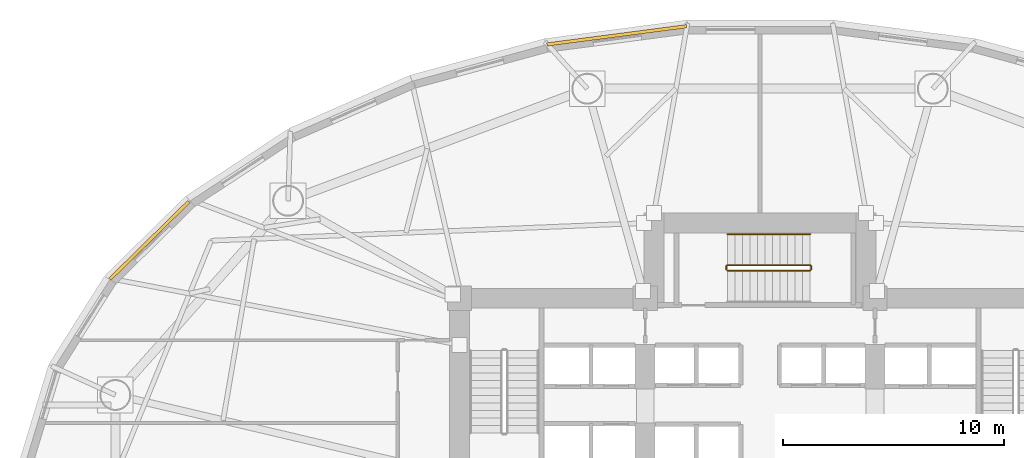
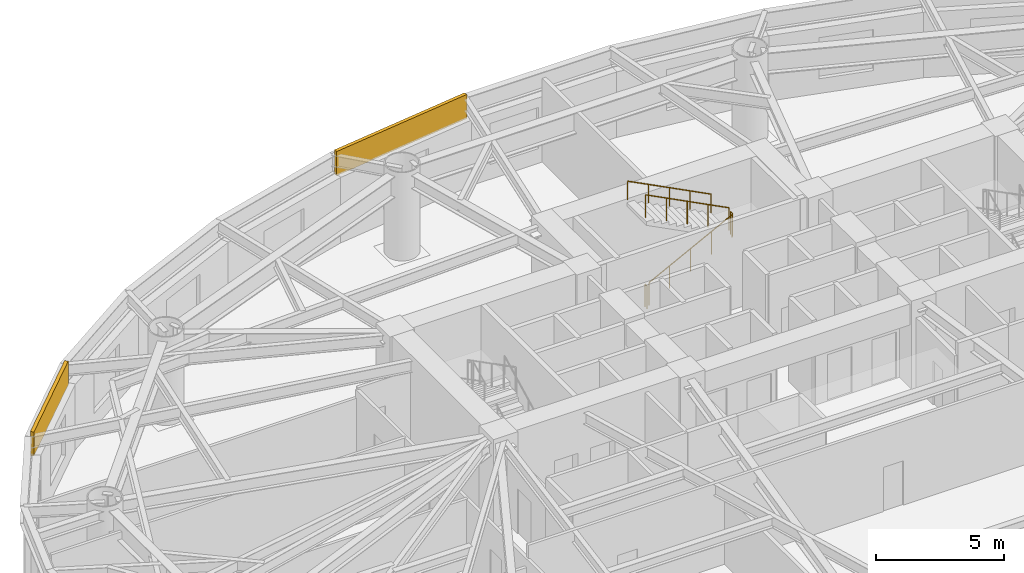
# One storey, part 17 of 18: 5 railings, 2 coverings.
"""IFC4 building model written with IfcOpenShell, lengths in metres."""

from ifc_helpers import new_model, si_unit, direction, frame, origin, origin_2d, place, context, subcontext, project, spatial, rectangle, circle, extrude, material, layer, layer_set, type_object, element, save


model = new_model("IFC4")

# Units and contexts
model_context = context("Model", 3, precision=1e-05, world=origin(), true_north=direction((0.0, 1.0)))
body_context = subcontext(model_context, "Body", "Model", "MODEL_VIEW")
ifc_project = project(units=[si_unit("LENGTHUNIT", "METRE"), si_unit("AREAUNIT", "SQUARE_METRE"), si_unit("VOLUMEUNIT", "CUBIC_METRE"), si_unit("PLANEANGLEUNIT", "RADIAN"), si_unit("MASSUNIT", "GRAM", prefix="KILO")], contexts=[model_context])

# Site, building, storey
site_placement = place(None, origin())
site = spatial("IfcSite", under=ifc_project, at=site_placement, CompositionType="ELEMENT")
building_placement = place(site_placement, origin())
building = spatial("IfcBuilding", under=site, at=building_placement, Name="Keldmark Tower", CompositionType="ELEMENT")
storey_placement = place(building_placement, frame((0.0, 0.0, 6.0)))
storey = spatial("IfcBuildingStorey", under=building, at=storey_placement, Name="L01", CompositionType="ELEMENT", Elevation=6.0)

# Coverings
ifc_material_1 = material(Name="Honed Kasota Buff Dolomitic Limestone", Category="masonry")
ifc_layer = layer(ifc_material_1, 0.074951171875)
ifc_layer_set = layer_set([ifc_layer], Name="Honed Kasota Buff Dolomitic Limestone")
covering_type = type_object("IfcCoveringType", Name="Kasota Buff Limestone Spandrel Cladding Band", PredefinedType="CLADDING", material=ifc_layer_set)
covering_1_placement = place(storey_placement, frame((-6.487060546875, 21.344482421875, 3.032958984375), z_axis=(0.0, 0.0, 1.0), x_axis=(-0.991574223108, -0.129539801092, 0.0)))
element("IfcCovering", 1, at=covering_1_placement, inside=storey, type_object=covering_type, Name="L01 Kasota Limestone Spandrel Band 09", PredefinedType="CLADDING", context=body_context, shape_type="SweptSolid", body=[
    extrude(rectangle(XDim=6.37548828125, YDim=0.14990234375, at=origin_2d()), origin(), (0.0, 0.0, 1.0), 1.14697265625),
])
covering_2_placement = place(storey_placement, frame((-27.62890625, 12.071044921875, 3.032958984375), z_axis=(0.0, 0.0, 1.0), x_axis=(-0.713189280566, -0.700971504475, 0.0)))
element("IfcCovering", 2, at=covering_2_placement, inside=storey, type_object=covering_type, Name="L01 Kasota Limestone Spandrel Band 13", PredefinedType="CLADDING", context=body_context, shape_type="SweptSolid", body=[
    extrude(rectangle(XDim=4.995849609375, YDim=0.14990234375, at=origin_2d()), origin(), (0.0, 0.0, 1.0), 1.14697265625),
])

# Railings
ifc_material_2 = material(Name="Painted Steel ASTM A500 Grade B", Category="steel")
railing_type_1 = type_object("IfcRailingType", Name="Painted Steel Stair Well Guard 1100 mm", PredefinedType="GUARDRAIL", material=ifc_material_2)
railing_1_placement = place(storey_placement, frame((-1.47509765625, 10.699951171875, 0.175048828125)))
element("IfcRailing", 3, at=railing_1_placement, inside=storey, type_object=railing_type_1, Name="L01 ST3 stair guard 1", PredefinedType="GUARDRAIL", context=body_context, shape_type="SweptSolid", body=[
    extrude(circle(Radius=0.02392578125, at=origin_2d()), frame((0.0, 0.0, 1.076171875), z_axis=(0.889130600629, 0.0, 0.457653553493), x_axis=(0.0, 1.0, 0.0)), (0.0, 0.0, 1.0), 4.206298828125),
    extrude(circle(Radius=0.02099609375, at=origin_2d()), origin(), (0.0, 0.0, 1.0), 1.052001953125),
    extrude(circle(Radius=0.02099609375, at=origin_2d()), frame((0.93505859375, 0.0, 0.481201171875)), (0.0, 0.0, 1.0), 1.052001953125),
    extrude(circle(Radius=0.02099609375, at=origin_2d()), frame((1.8701171875, 0.0, 0.96240234375)), (0.0, 0.0, 1.0), 1.052001953125),
    extrude(circle(Radius=0.02099609375, at=origin_2d()), frame((2.804931640625, 0.0, 1.44384765625)), (0.0, 0.0, 1.0), 1.052001953125),
    extrude(circle(Radius=0.02099609375, at=origin_2d()), frame((3.739990234375, 0.0, 1.925048828125)), (0.0, 0.0, 1.0), 1.052001953125),
])
railing_2_placement = place(storey_placement, frame((2.31494140625, 10.75, 2.10009765625)))
element("IfcRailing", 4, at=railing_2_placement, inside=storey, type_object=railing_type_1, Name="L01 ST3 stair guard 2", PredefinedType="GUARDRAIL", context=body_context, shape_type="SweptSolid", body=[
    extrude(circle(Radius=0.02392578125, at=origin_2d()), frame((0.0, 0.0, 1.076171875), z_axis=(0.0, 1.0, 0.0), x_axis=(-1.0, 0.0, 0.0)), (0.0, 0.0, 1.0), 0.14990234375),
    extrude(circle(Radius=0.02099609375, at=origin_2d()), origin(), (0.0, 0.0, 1.0), 1.052001953125),
    extrude(circle(Radius=0.02099609375, at=origin_2d()), frame((0.0, 0.14990234375, 0.0)), (0.0, 0.0, 1.0), 1.052001953125),
])
railing_3_placement = place(storey_placement, frame((2.264892578125, 10.949951171875, 2.27490234375)))
element("IfcRailing", 5, at=railing_3_placement, inside=storey, type_object=railing_type_1, Name="L01 ST3 stair guard 3", PredefinedType="GUARDRAIL", context=body_context, shape_type="SweptSolid", body=[
    extrude(circle(Radius=0.02392578125, at=origin_2d()), frame((0.0, 0.0, 1.076171875), z_axis=(-0.889130600629, 0.0, 0.457653553493), x_axis=(0.0, -1.0, 0.0)), (0.0, 0.0, 1.0), 4.206298828125),
    extrude(circle(Radius=0.02099609375, at=origin_2d()), origin(), (0.0, 0.0, 1.0), 1.052001953125),
    extrude(circle(Radius=0.02099609375, at=origin_2d()), frame((-0.93505859375, 0.0, 0.481201171875)), (0.0, 0.0, 1.0), 1.052001953125),
    extrude(circle(Radius=0.02099609375, at=origin_2d()), frame((-1.8701171875, 0.0, 0.96240234375)), (0.0, 0.0, 1.0), 1.052001953125),
    extrude(circle(Radius=0.02099609375, at=origin_2d()), frame((-2.804931640625, 0.0, 1.44384765625)), (0.0, 0.0, 1.0), 1.052001953125),
    extrude(circle(Radius=0.02099609375, at=origin_2d()), frame((-3.739990234375, 0.0, 1.925048828125)), (0.0, 0.0, 1.0), 1.052001953125),
])
railing_4_placement = place(storey_placement, frame((-1.52490234375, 10.75, 0.0)))
element("IfcRailing", 6, at=railing_4_placement, inside=storey, type_object=railing_type_1, Name="L01 ST3 stair guard 4", PredefinedType="GUARDRAIL", context=body_context, shape_type="SweptSolid", body=[
    extrude(circle(Radius=0.02392578125, at=origin_2d()), frame((0.0, 0.0, 1.076171875), z_axis=(0.0, 1.0, 0.0), x_axis=(-1.0, 0.0, 0.0)), (0.0, 0.0, 1.0), 0.14990234375),
    extrude(circle(Radius=0.02099609375, at=origin_2d()), origin(), (0.0, 0.0, 1.0), 1.052001953125),
    extrude(circle(Radius=0.02099609375, at=origin_2d()), frame((0.0, 0.14990234375, 0.0)), (0.0, 0.0, 1.0), 1.052001953125),
])
ifc_material_3 = material(Name="Stainless Steel AISI 316L", Category="steel")
railing_type_2 = type_object("IfcRailingType", Name="Stainless Steel Stair Handrail 900 mm", PredefinedType="HANDRAIL", material=ifc_material_3)
railing_5_placement = place(storey_placement, frame((2.264892578125, 12.35009765625, 2.27490234375)))
element("IfcRailing", 7, at=railing_5_placement, inside=storey, type_object=railing_type_2, Name="L01 ST3 stair handrail 2", PredefinedType="HANDRAIL", context=body_context, shape_type="SweptSolid", body=[
    extrude(circle(Radius=0.02392578125, at=origin_2d()), frame((0.0, 0.0, 0.8759765625), z_axis=(-0.889130600629, 0.0, 0.457653553493), x_axis=(0.0, -1.0, 0.0)), (0.0, 0.0, 1.0), 4.206298828125),
    extrude(circle(Radius=0.02099609375, at=origin_2d()), origin(), (0.0, 0.0, 1.0), 0.851806640625),
    extrude(circle(Radius=0.02099609375, at=origin_2d()), frame((-0.93505859375, 0.0, 0.481201171875)), (0.0, 0.0, 1.0), 0.851806640625),
    extrude(circle(Radius=0.02099609375, at=origin_2d()), frame((-1.8701171875, 0.0, 0.96240234375)), (0.0, 0.0, 1.0), 0.851806640625),
    extrude(circle(Radius=0.02099609375, at=origin_2d()), frame((-2.804931640625, 0.0, 1.44384765625)), (0.0, 0.0, 1.0), 0.851806640625),
    extrude(circle(Radius=0.02099609375, at=origin_2d()), frame((-3.739990234375, 0.0, 1.925048828125)), (0.0, 0.0, 1.0), 0.851806640625),
])

save(model, "model.ifc")
